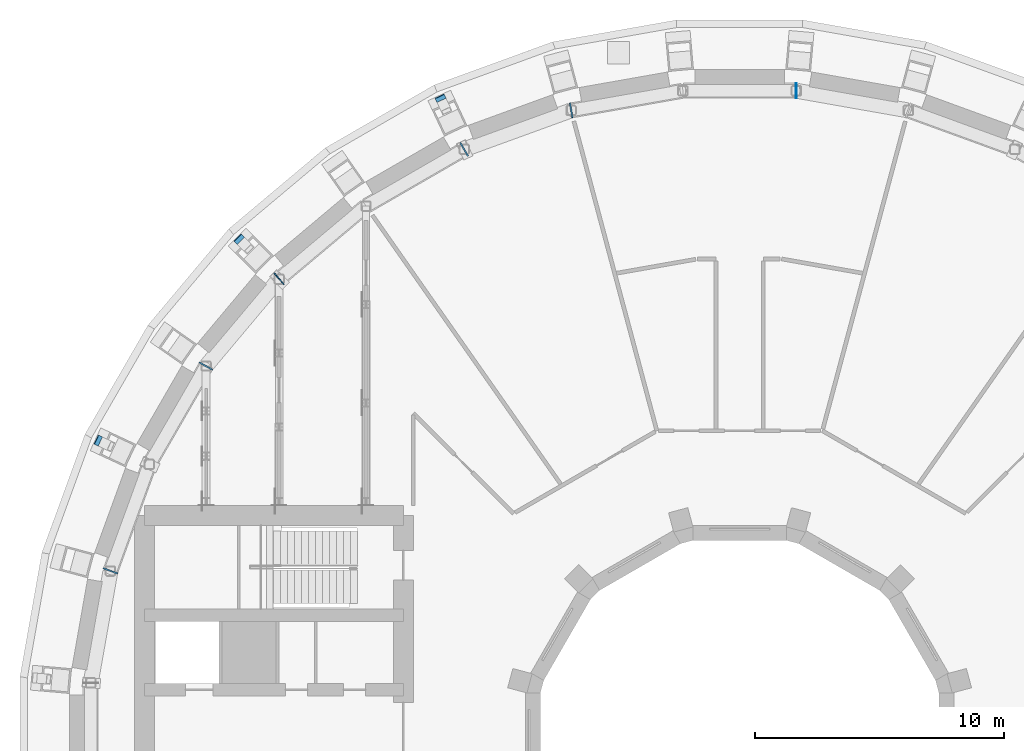
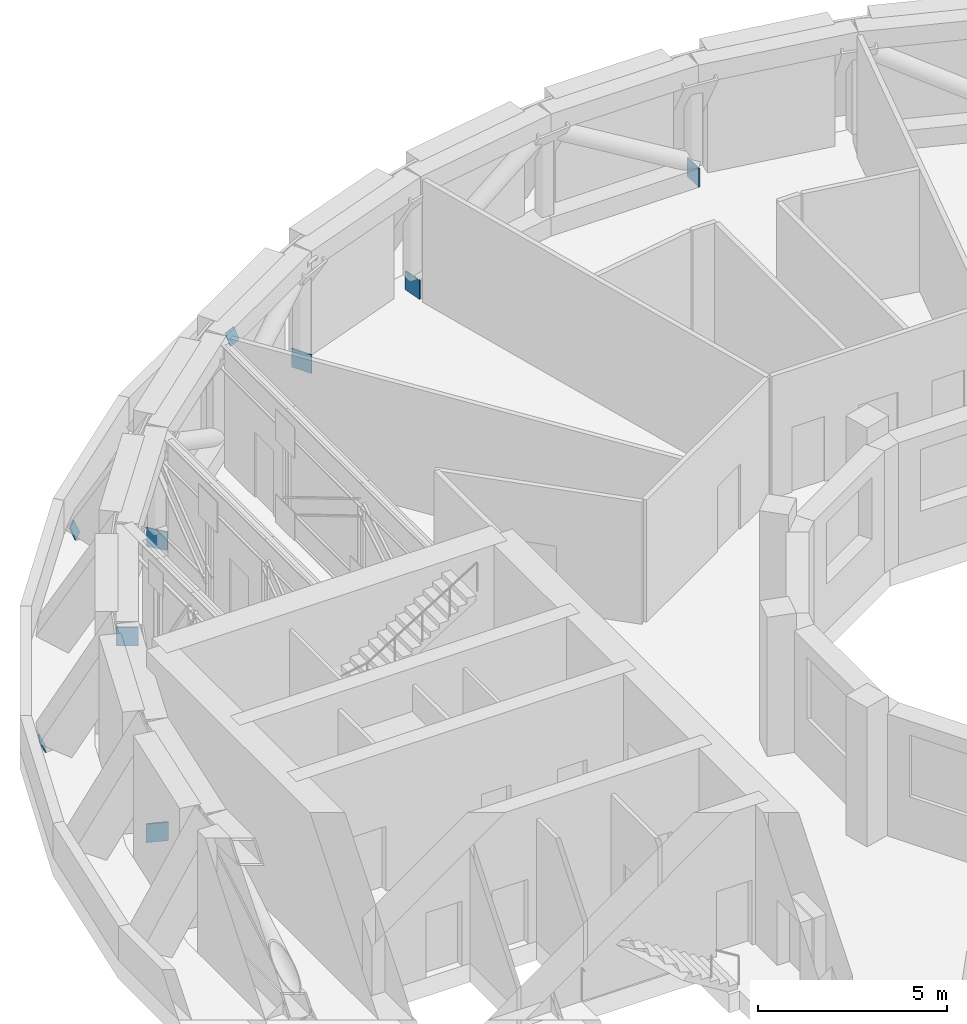
# One storey, part 17 of 19: 9 discrete accessories.
"""IFC4 building model written with IfcOpenShell, lengths in metres."""

from ifc_helpers import new_model, si_unit, direction, frame, origin, origin_2d, place, context, subcontext, project, spatial, rectangle, extrude, material, material_profile, profile_set, type_object, element, save


model = new_model("IFC4")

# Units and contexts
model_context = context("Model", 3, precision=1e-05, world=origin(), true_north=direction((0.0, 1.0)))
body_context = subcontext(model_context, "Body", "Model", "MODEL_VIEW")
ifc_project = project(units=[si_unit("LENGTHUNIT", "METRE"), si_unit("AREAUNIT", "SQUARE_METRE"), si_unit("VOLUMEUNIT", "CUBIC_METRE"), si_unit("PLANEANGLEUNIT", "RADIAN"), si_unit("MASSUNIT", "GRAM", prefix="KILO")], contexts=[model_context])

# Site, building, storey
site_placement = place(None, origin())
site = spatial("IfcSite", under=ifc_project, at=site_placement, CompositionType="ELEMENT")
building_placement = place(site_placement, origin())
building = spatial("IfcBuilding", under=site, at=building_placement, Name="Saqina Gate Tower", CompositionType="ELEMENT")
storey_placement = place(building_placement, frame((0.0, 0.0, 82.39990234375)))
storey = spatial("IfcBuildingStorey", under=building, at=storey_placement, Name="L23", CompositionType="ELEMENT", Elevation=82.39990234375)

# Discrete accessories
ifc_material_1 = material(Name="Steel S460", Category="steel")
ifc_material_profile_1 = material_profile(ifc_material_1, rectangle(XDim=0.39990234375, YDim=0.39990234375, at=origin_2d()), Name="STR-END PLATE-BOX 400x400x30")
ifc_profile_set_1 = profile_set([ifc_material_profile_1], Name="Steel S460")
discrete_accessory_type_1 = type_object("IfcDiscreteAccessoryType", Name="STR-END PLATE-BOX 400x400x30", PredefinedType="USERDEFINED", material=ifc_profile_set_1)
for number, where, z_axis, x_axis, name in (
    (1, (-12.00244140625, 25.7392578125, 0.18212890625), (-0.383612760802, 0.824359337042, -0.416260655338), (0.906640001816, 0.421905092484, 6.554031e-06), "END PLATE NODE TIE BEAM L23 12 FOOT START"),
    (2, (-20.081787109375, 20.081787109375, 0.18212890625), (-0.643255081633, 0.643255081633, -0.415265938776), (0.707106781187, 0.707106781187, 0.0), "END PLATE NODE TIE BEAM L23 14 FOOT START"),
    (3, (-25.7392578125, 12.00244140625, 0.18212890625), (-0.824359337042, 0.383612760802, -0.416260655338), (0.421905092484, 0.906640001816, -6.554031e-06), "END PLATE NODE TIE BEAM L23 16 FOOT START"),
):
    element("IfcDiscreteAccessory", number, at=place(storey_placement, frame(where, z_axis=z_axis, x_axis=x_axis)), inside=storey, type_object=discrete_accessory_type_1, Name=name, ObjectType="END PLATE", PredefinedType="USERDEFINED", context=body_context, shape_type="SweptSolid", body=[
        extrude(rectangle(XDim=0.39990234375, YDim=0.39990234375, at=origin_2d()), origin(), (0.0, 0.0, 1.0), 0.030029296875),
    ])
ifc_material_2 = material(Name="Steel S460", Category="steel")
ifc_material_profile_2 = material_profile(ifc_material_2, rectangle(XDim=0.60009765625, YDim=0.60009765625, at=origin_2d()), Name="STR-END PLATE-BOX 600x600x50")
ifc_profile_set_2 = profile_set([ifc_material_profile_2], Name="Steel S460")
discrete_accessory_type_2 = type_object("IfcDiscreteAccessoryType", Name="STR-END PLATE-BOX 600x600x50", PredefinedType="USERDEFINED", material=ifc_profile_set_2)
for number, where, z_axis, x_axis, name in (
    (4, (2.2529296875, 26.050537109375, 0.300048828125), (1.0, 0.0, 0.0), (0.0, -1.0, 0.0), "END PLATE BELT TRUSS L23 CHORD 019 START"),
    (5, (-6.7421875, 25.263427734375, 0.300048828125), (-0.985389793052, -0.170314285219, 0.0), (0.170314285219, -0.985389793052, 0.0), "END PLATE BELT TRUSS L23 CHORD 022 END"),
    (6, (-11.07421875, 23.686767578125, 0.300048828125), (0.865982457891, 0.500074377092, 0.0), (0.500074377092, -0.865982457891, 0.0), "END PLATE BELT TRUSS L23 CHORD 026 START"),
):
    element("IfcDiscreteAccessory", number, at=place(storey_placement, frame(where, z_axis=z_axis, x_axis=x_axis)), inside=storey, type_object=discrete_accessory_type_2, Name=name, ObjectType="END PLATE", PredefinedType="USERDEFINED", context=body_context, shape_type="SweptSolid", body=[
        extrude(rectangle(XDim=0.60009765625, YDim=0.60009765625, at=origin_2d()), origin(), (0.0, 0.0, 1.0), 0.0400390625),
    ])
discrete_accessory_1_placement = place(storey_placement, frame((-18.470703125, 18.5078125, 0.300048828125), z_axis=(-0.765226087432, -0.643761629109, 0.0), x_axis=(0.643761629109, -0.765226087432, 0.0)))
element("IfcDiscreteAccessory", 7, at=discrete_accessory_1_placement, inside=storey, type_object=discrete_accessory_type_2, Name="END PLATE BELT TRUSS L23 CHORD 029 END", ObjectType="END PLATE", PredefinedType="USERDEFINED", context=body_context, shape_type="SweptSolid", body=[
    extrude(rectangle(XDim=0.60009765625, YDim=0.60009765625, at=origin_2d()), origin(), (0.0, 0.0, 1.0), 0.040283203125),
])
discrete_accessory_2_placement = place(storey_placement, frame((-21.433837890625, 14.976318359375, 0.300048828125), z_axis=(0.495480037667, 0.868619325293, 0.0), x_axis=(0.868619325293, -0.495480037667, 0.0)))
element("IfcDiscreteAccessory", 8, at=discrete_accessory_2_placement, inside=storey, type_object=discrete_accessory_type_2, Name="END PLATE BELT TRUSS L23 CHORD 033 START", ObjectType="END PLATE", PredefinedType="USERDEFINED", context=body_context, shape_type="SweptSolid", body=[
    extrude(rectangle(XDim=0.60009765625, YDim=0.60009765625, at=origin_2d()), origin(), (0.0, 0.0, 1.0), 0.039794921875),
])
discrete_accessory_3_placement = place(storey_placement, frame((-25.25, 6.792724609375, 0.300048828125), z_axis=(-0.341743063087, -0.939793423488, 0.0), x_axis=(0.939793423488, -0.341743063087, 0.0)))
element("IfcDiscreteAccessory", 9, at=discrete_accessory_3_placement, inside=storey, type_object=discrete_accessory_type_2, Name="END PLATE BELT TRUSS L23 CHORD 036 END", ObjectType="END PLATE", PredefinedType="USERDEFINED", context=body_context, shape_type="SweptSolid", body=[
    extrude(rectangle(XDim=0.60009765625, YDim=0.60009765625, at=origin_2d()), origin(), (0.0, 0.0, 1.0), 0.0400390625),
])

save(model, "model.ifc")
